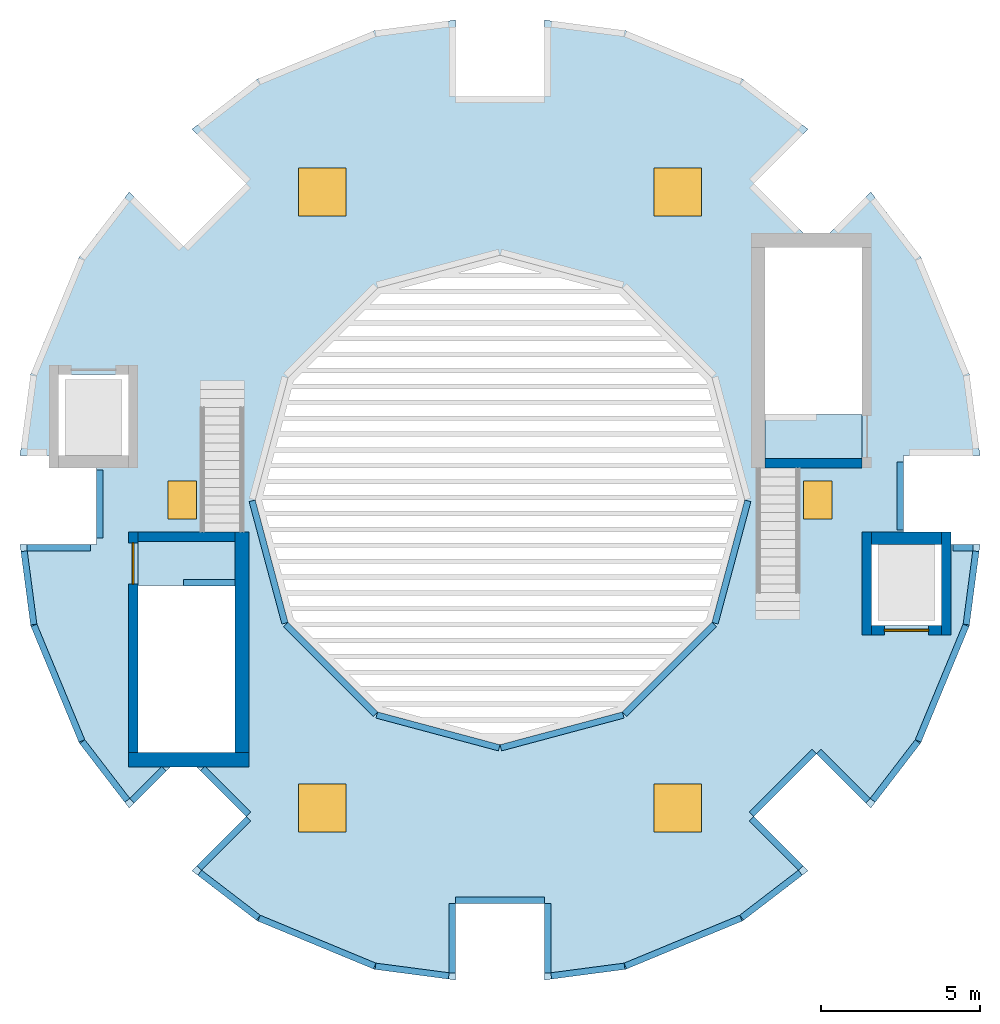
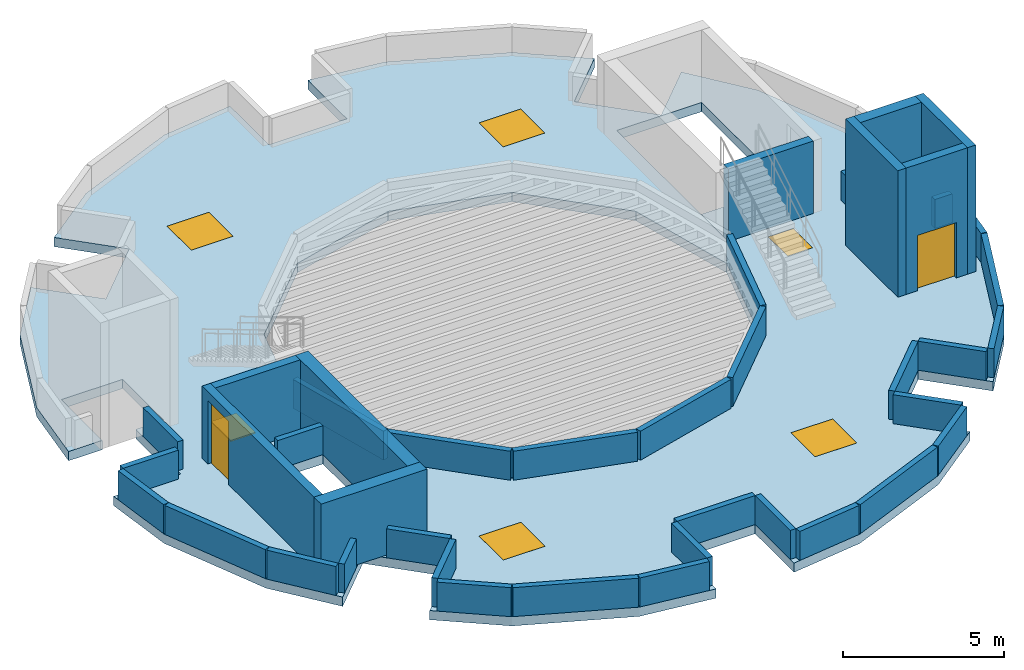
# One storey, part 1 of 4: 41 walls, 6 windows, 3 slabs, 2 doors, 8 openings.
"""IFC4 building model written with IfcOpenShell, lengths in metres."""

from ifc_helpers import new_model, si_unit, direction, frame, frame_2d, origin, origin_2d, place, context, subcontext, project, spatial, polyline, rectangle, outline, extrude, material, layer, layer_set, type_object, element, fill, save


model = new_model("IFC4")

# Units and contexts
model_context = context("Model", 3, precision=1e-05, world=origin(), true_north=direction((0.0, 1.0)))
body_context = subcontext(model_context, "Body", "Model", "MODEL_VIEW")
ifc_project = project(units=[si_unit("LENGTHUNIT", "METRE"), si_unit("AREAUNIT", "SQUARE_METRE"), si_unit("VOLUMEUNIT", "CUBIC_METRE"), si_unit("PLANEANGLEUNIT", "RADIAN"), si_unit("MASSUNIT", "GRAM", prefix="KILO")], contexts=[model_context])

# Site, building, storey
site_placement = place(None, origin())
site = spatial("IfcSite", under=ifc_project, at=site_placement, CompositionType="ELEMENT")
building_placement = place(site_placement, origin())
building = spatial("IfcBuilding", under=site, at=building_placement, Name="Torre Brocal", CompositionType="ELEMENT")
storey_placement = place(building_placement, frame((0.0, 0.0, 337.60009765625)))
storey = spatial("IfcBuildingStorey", under=building, at=storey_placement, Name="RF", CompositionType="ELEMENT", Elevation=337.60009765625)

# Slabs
ifc_material_1 = material(Name="Concrete C50", Category="concrete")
ifc_layer_1 = layer(ifc_material_1, 0.35009765625)
ifc_layer_set_1 = layer_set([ifc_layer_1], Name="Concrete C50")
slab_type_1 = type_object("IfcSlabType", Name="HEAD-HOUSE FLOOR 350", PredefinedType="FLOOR", material=ifc_layer_set_1)
slab_1_placement = place(storey_placement, frame((0.0, 0.0, -0.35009765625)))
element("IfcSlab", 1, at=slab_1_placement, inside=storey, type_object=slab_type_1, Name="Slab SHF350", PredefinedType="FLOOR", context=body_context, shape_type="SweptSolid", body=[
    extrude(outline(polyline([(88.35009765625, 76.300048828125), (91.39990234375, 76.300048828125), (91.39990234375, 77.699951171875), (88.35009765625, 77.699951171875), (88.35009765625, 76.300048828125)])), origin(), (0.0, 0.0, 1.0), 0.35009765625),
])
slab_2_placement = place(storey_placement, frame((0.0, 0.0, -0.35009765625)))
element("IfcSlab", 2, at=slab_2_placement, inside=storey, type_object=slab_type_1, Name="Slab SHF350", PredefinedType="FLOOR", context=body_context, shape_type="SweptSolid", body=[
    extrude(outline(polyline([(71.64990234375, 73.699951171875), (68.60009765625, 73.699951171875), (68.60009765625, 72.300048828125), (71.64990234375, 72.300048828125), (71.64990234375, 73.699951171875)])), origin(), (0.0, 0.0, 1.0), 0.35009765625),
])

# Slab, openings, windows
ifc_material_2 = material(Name="Concrete C45", Category="concrete")
ifc_layer_2 = layer(ifc_material_2, 0.35009765625)
ifc_layer_set_2 = layer_set([ifc_layer_2], Name="Concrete C45")
slab_type_2 = type_object("IfcSlabType", Name="PT ROOF SLAB 350 C45", PredefinedType="ROOF", material=ifc_layer_set_2)
slab_3_placement = place(storey_placement, frame((0.0, 0.0, -0.35009765625)))
slab_3 = element("IfcSlab", 3, at=slab_3_placement, inside=storey, type_object=slab_type_2, Name="Slab ST-14", PredefinedType="ROOF", context=body_context, shape_type="SweptSolid", body=[
    extrude(outline(polyline([(92.699951171875, 76.39990234375), (92.699951171875, 73.60009765625), (91.699951171875, 73.60009765625), (91.699951171875, 71.050048828125), (93.89990234375, 71.050048828125), (93.89990234375, 73.60009765625), (95.114013671875, 73.60009765625), (94.777099609375, 71.04052734375), (93.248779296875, 67.350830078125), (91.67724609375, 65.302734375), (89.97021484375, 67.009765625), (87.990234375, 65.02978515625), (89.697265625, 63.32275390625), (87.649169921875, 61.751220703125), (83.95947265625, 60.222900390625), (81.39990234375, 59.885986328125), (81.39990234375, 62.300048828125), (78.60009765625, 62.300048828125), (78.60009765625, 59.885986328125), (76.04052734375, 60.222900390625), (72.350830078125, 61.751220703125), (70.302734375, 63.32275390625), (72.009765625, 65.02978515625), (70.02978515625, 67.009765625), (68.32275390625, 65.302734375), (66.751220703125, 67.350830078125), (65.222900390625, 71.04052734375), (64.885986328125, 73.60009765625), (67.300048828125, 73.60009765625), (67.300048828125, 76.39990234375), (68.300048828125, 76.39990234375), (68.300048828125, 78.949951171875), (66.10009765625, 78.949951171875), (66.10009765625, 76.39990234375), (64.885986328125, 76.39990234375), (65.222900390625, 78.95947265625), (66.751220703125, 82.649169921875), (68.32275390625, 84.697265625), (70.02978515625, 82.990234375), (72.009765625, 84.97021484375), (70.302734375, 86.67724609375), (72.350830078125, 88.248779296875), (76.04052734375, 89.777099609375), (78.60009765625, 90.114013671875), (78.60009765625, 87.699951171875), (81.39990234375, 87.699951171875), (81.39990234375, 90.114013671875), (83.95947265625, 89.777099609375), (87.649169921875, 88.248779296875), (89.697265625, 86.67724609375), (87.990234375, 84.97021484375), (89.97021484375, 82.990234375), (91.67724609375, 84.697265625), (93.248779296875, 82.649169921875), (94.777099609375, 78.95947265625), (95.114013671875, 76.39990234375), (92.699951171875, 76.39990234375)]), holes=[polyline([(88.35009765625, 76.300048828125), (91.39990234375, 76.300048828125), (91.39990234375, 82.949951171875), (88.35009765625, 82.949951171875), (88.35009765625, 76.300048828125)]), polyline([(80.0, 82.70703125), (76.146484375, 81.674560546875), (73.325439453125, 78.853515625), (72.29296875, 75.0), (73.325439453125, 71.146484375), (76.146484375, 68.325439453125), (80.0, 67.29296875), (83.853515625, 68.325439453125), (86.674560546875, 71.146484375), (87.70703125, 75.0), (86.674560546875, 78.853515625), (83.853515625, 81.674560546875), (80.0, 82.70703125)]), polyline([(71.64990234375, 73.699951171875), (68.60009765625, 73.699951171875), (68.60009765625, 67.050048828125), (71.64990234375, 67.050048828125), (71.64990234375, 73.699951171875)])]), origin(), (0.0, 0.0, 1.0), 0.35009765625),
])
opening_1_placement = place(slab_3_placement, frame((90.0, 75.0, 0.0)))
opening_1 = element("IfcOpeningElement", 4, at=opening_1_placement, cuts=slab_3, Name="Opening RAH-1", PredefinedType="OPENING", context=body_context, shape_type="SweptSolid", body=[
    extrude(rectangle(XDim=0.89990234375, YDim=1.199951171875, at=origin_2d()), origin(), (0.0, 0.0, 1.0), 0.35009765625),
])
opening_2_placement = place(slab_3_placement, frame((70.0, 75.0, 0.0)))
opening_2 = element("IfcOpeningElement", 5, at=opening_2_placement, cuts=slab_3, Name="Opening RAH-2", PredefinedType="OPENING", context=body_context, shape_type="SweptSolid", body=[
    extrude(rectangle(XDim=0.89990234375, YDim=1.199951171875, at=origin_2d()), origin(), (0.0, 0.0, 1.0), 0.35009765625),
])
opening_3_placement = place(slab_3_placement, frame((85.60009765625, 84.699462890625, 0.0)))
opening_3 = element("IfcOpeningElement", 6, at=opening_3_placement, cuts=slab_3, Name="Opening RLT-1", PredefinedType="OPENING", context=body_context, shape_type="SweptSolid", body=[
    extrude(rectangle(XDim=1.5, YDim=1.5, at=origin_2d()), origin(), (0.0, 0.0, 1.0), 0.35009765625),
])
opening_4_placement = place(slab_3_placement, frame((74.39990234375, 84.699462890625, 0.0)))
opening_4 = element("IfcOpeningElement", 7, at=opening_4_placement, cuts=slab_3, Name="Opening RLT-2", PredefinedType="OPENING", context=body_context, shape_type="SweptSolid", body=[
    extrude(rectangle(XDim=1.5, YDim=1.5, at=origin_2d()), origin(), (0.0, 0.0, 1.0), 0.35009765625),
])
opening_5_placement = place(slab_3_placement, frame((74.39990234375, 65.300537109375, 0.0)))
opening_5 = element("IfcOpeningElement", 8, at=opening_5_placement, cuts=slab_3, Name="Opening RLT-3", PredefinedType="OPENING", context=body_context, shape_type="SweptSolid", body=[
    extrude(rectangle(XDim=1.5, YDim=1.5, at=origin_2d()), origin(), (0.0, 0.0, 1.0), 0.35009765625),
])
opening_6_placement = place(slab_3_placement, frame((85.60009765625, 65.300537109375, 0.0)))
opening_6 = element("IfcOpeningElement", 9, at=opening_6_placement, cuts=slab_3, Name="Opening RLT-4", PredefinedType="OPENING", context=body_context, shape_type="SweptSolid", body=[
    extrude(rectangle(XDim=1.5, YDim=1.5, at=origin_2d()), origin(), (0.0, 0.0, 1.0), 0.35009765625),
])
ifc_material_3 = material(Name="Aluminium and glass", Category="aluminium")
window_type_1 = type_object("IfcWindowType", Name="ROOF ACCESS HATCH 1200X900", PartitioningType="SINGLE_PANEL", PredefinedType="SKYLIGHT", material=ifc_material_3)
window_1_placement = place(opening_1_placement, frame((0.0, 0.0, 0.300048828125)))
window_1 = element("IfcWindow", 10, at=window_1_placement, inside=storey, type_object=window_type_1, Name="ROOF ACCESS HATCH", OverallHeight=1.199951171875, OverallWidth=0.89990234375, PartitioningType="SINGLE_PANEL", PredefinedType="SKYLIGHT", context=body_context, shape_type="SweptSolid", body=[
    extrude(rectangle(XDim=0.89990234375, YDim=1.199951171875, at=origin_2d()), origin(), (0.0, 0.0, 1.0), 0.050048828125),
])
fill(opening_1, window_1)
window_2_placement = place(opening_2_placement, frame((0.0, 0.0, 0.300048828125)))
window_2 = element("IfcWindow", 11, at=window_2_placement, inside=storey, type_object=window_type_1, Name="ROOF ACCESS HATCH", OverallHeight=1.199951171875, OverallWidth=0.89990234375, PartitioningType="SINGLE_PANEL", PredefinedType="SKYLIGHT", context=body_context, shape_type="SweptSolid", body=[
    extrude(rectangle(XDim=0.89990234375, YDim=1.199951171875, at=origin_2d()), origin(), (0.0, 0.0, 1.0), 0.050048828125),
])
fill(opening_2, window_2)
ifc_material_4 = material(Name="Aluminium and glass", Category="aluminium")
window_type_2 = type_object("IfcWindowType", Name="ROOFLIGHT 1500X1500", PartitioningType="SINGLE_PANEL", PredefinedType="SKYLIGHT", material=ifc_material_4)
window_3_placement = place(opening_3_placement, frame((0.0, 0.0, 0.300048828125)))
window_3 = element("IfcWindow", 12, at=window_3_placement, inside=storey, type_object=window_type_2, Name="ROOFLIGHT", OverallHeight=1.5, OverallWidth=1.5, PartitioningType="SINGLE_PANEL", PredefinedType="SKYLIGHT", context=body_context, shape_type="SweptSolid", body=[
    extrude(rectangle(XDim=1.5, YDim=1.5, at=origin_2d()), origin(), (0.0, 0.0, 1.0), 0.050048828125),
])
fill(opening_3, window_3)
window_4_placement = place(opening_4_placement, frame((0.0, 0.0, 0.300048828125)))
window_4 = element("IfcWindow", 13, at=window_4_placement, inside=storey, type_object=window_type_2, Name="ROOFLIGHT", OverallHeight=1.5, OverallWidth=1.5, PartitioningType="SINGLE_PANEL", PredefinedType="SKYLIGHT", context=body_context, shape_type="SweptSolid", body=[
    extrude(rectangle(XDim=1.5, YDim=1.5, at=origin_2d()), origin(), (0.0, 0.0, 1.0), 0.050048828125),
])
fill(opening_4, window_4)
window_5_placement = place(opening_5_placement, frame((0.0, 0.0, 0.300048828125)))
window_5 = element("IfcWindow", 14, at=window_5_placement, inside=storey, type_object=window_type_2, Name="ROOFLIGHT", OverallHeight=1.5, OverallWidth=1.5, PartitioningType="SINGLE_PANEL", PredefinedType="SKYLIGHT", context=body_context, shape_type="SweptSolid", body=[
    extrude(rectangle(XDim=1.5, YDim=1.5, at=origin_2d()), origin(), (0.0, 0.0, 1.0), 0.050048828125),
])
fill(opening_5, window_5)
window_6_placement = place(opening_6_placement, frame((0.0, 0.0, 0.300048828125)))
window_6 = element("IfcWindow", 15, at=window_6_placement, inside=storey, type_object=window_type_2, Name="ROOFLIGHT", OverallHeight=1.5, OverallWidth=1.5, PartitioningType="SINGLE_PANEL", PredefinedType="SKYLIGHT", context=body_context, shape_type="SweptSolid", body=[
    extrude(rectangle(XDim=1.5, YDim=1.5, at=origin_2d()), origin(), (0.0, 0.0, 1.0), 0.050048828125),
])
fill(opening_6, window_6)

# Walls
ifc_material_5 = material(Name="Concrete C50", Category="concrete")
ifc_layer_3 = layer(ifc_material_5, 0.300048828125)
ifc_layer_set_3 = layer_set([ifc_layer_3], Name="Concrete C50")
wall_type_1 = type_object("IfcWallType", Name="CORE WALL 300 C50 UNDER 300 SLAB LIFT OVERRUN", PredefinedType="SHEAR", material=ifc_layer_set_3)
for number, where, z_axis, x_axis, name in (
    (16, (91.550048828125, 70.75, 0.0), (0.0, 0.0, 1.0), (0.0, 1.0, 0.0), "Wall CW300-50-LO"),
    (17, (94.050048828125, 70.75, 0.0), (0.0, 0.0, 1.0), (0.0, 1.0, 0.0), "Wall CW300-50-LO"),
):
    element("IfcWall", number, at=place(storey_placement, frame(where, z_axis=z_axis, x_axis=x_axis)), inside=storey, type_object=wall_type_1, Name=name, PredefinedType="SHEAR", context=body_context, shape_type="SweptSolid", body=[
        extrude(rectangle(XDim=3.25, YDim=0.300048828125, at=frame_2d((1.625, 0.0))), origin(), (0.0, 0.0, 1.0), 4.7998046875),
    ])

# Wall, opening, door
wall_1_placement = place(storey_placement, frame((91.699951171875, 70.89990234375, 0.0), z_axis=(0.0, 0.0, 1.0), x_axis=(1.0, 0.0, 0.0)))
wall_1 = element("IfcWall", 18, at=wall_1_placement, inside=storey, type_object=wall_type_1, Name="Wall CW300-50-LO", PredefinedType="SHEAR", context=body_context, shape_type="SweptSolid", body=[
    extrude(rectangle(XDim=2.199951171875, YDim=0.300048828125, at=frame_2d((1.10009765625, 0.0))), origin(), (0.0, 0.0, 1.0), 4.7998046875),
])
opening_7_placement = place(wall_1_placement, frame((0.39990234375, 0.0, 0.0)))
opening_7 = element("IfcOpeningElement", 19, at=opening_7_placement, cuts=wall_1, Name="Opening LD14", PredefinedType="OPENING", context=body_context, shape_type="SweptSolid", body=[
    extrude(rectangle(XDim=1.39990234375, YDim=2.10009765625, at=frame_2d((0.699951171875, 1.050048828125))), frame((0.0, 0.159912109375, 0.0), z_axis=(0.0, -1.0, 0.0), x_axis=(1.0, 0.0, 0.0)), (0.0, 0.0, 1.0), 0.320068359375),
])
ifc_material_6 = material(Name="Stainless steel AISI 316", Category="steel")
door_type_1 = type_object("IfcDoorType", Name="LIFT LANDING DOOR 1400X2100", OperationType="DOUBLE_DOOR_SLIDING", PredefinedType="DOOR", material=ifc_material_6)
door_1_placement = place(opening_7_placement, origin())
door_1 = element("IfcDoor", 20, at=door_1_placement, inside=storey, type_object=door_type_1, Name="Door LD14", OperationType="DOUBLE_DOOR_SLIDING", OverallHeight=2.10009765625, OverallWidth=1.39990234375, PredefinedType="DOOR", context=body_context, shape_type="SweptSolid", body=[
    extrude(rectangle(XDim=1.39990234375, YDim=2.10009765625, at=frame_2d((0.699951171875, 1.050048828125))), frame((0.0, 0.02490234375, 0.0), z_axis=(0.0, -1.0, 0.0), x_axis=(1.0, 0.0, 0.0)), (0.0, 0.0, 1.0), 0.050048828125),
])
fill(opening_7, door_1)

# Wall
ifc_material_7 = material(Name="Concrete C50", Category="concrete")
ifc_layer_4 = layer(ifc_material_7, 0.300048828125)
ifc_layer_set_4 = layer_set([ifc_layer_4], Name="Concrete C50")
wall_type_2 = type_object("IfcWallType", Name="CORE WALL 300 C50 UNDER 300 SLAB STAIR HEAD-HOUSE", PredefinedType="SHEAR", material=ifc_layer_set_4)
wall_2_placement = place(storey_placement, frame((88.35009765625, 76.14990234375, 0.0), z_axis=(0.0, 0.0, 1.0), x_axis=(1.0, 0.0, 0.0)))
element("IfcWall", 21, at=wall_2_placement, inside=storey, type_object=wall_type_2, Name="Wall CW300-50-SH", PredefinedType="SHEAR", context=body_context, shape_type="SweptSolid", body=[
    extrude(rectangle(XDim=3.0498046875, YDim=0.300048828125, at=frame_2d((1.52490234375, 0.0))), origin(), (0.0, 0.0, 1.0), 2.75),
])

# Wall, opening, door
wall_3_placement = place(storey_placement, frame((68.449951171875, 74.0, 0.0), z_axis=(0.0, 0.0, 1.0), x_axis=(0.0, -1.0, 0.0)))
wall_3 = element("IfcWall", 22, at=wall_3_placement, inside=storey, type_object=wall_type_2, Name="Wall CW300-50-SH", PredefinedType="SHEAR", context=body_context, shape_type="SweptSolid", body=[
    extrude(rectangle(XDim=6.949951171875, YDim=0.300048828125, at=frame_2d((3.47509765625, 0.0))), origin(), (0.0, 0.0, 1.0), 2.75),
])
opening_8_placement = place(wall_3_placement, frame((0.35009765625, 0.0, 0.0)))
opening_8 = element("IfcOpeningElement", 23, at=opening_8_placement, cuts=wall_3, Name="Opening W-D14", PredefinedType="OPENING", context=body_context, shape_type="SweptSolid", body=[
    extrude(rectangle(XDim=1.300048828125, YDim=2.39990234375, at=frame_2d((0.64990234375, 1.199951171875))), frame((0.0, 0.159912109375, 0.0), z_axis=(0.0, -1.0, 0.0), x_axis=(1.0, 0.0, 0.0)), (0.0, 0.0, 1.0), 0.320068359375),
])
ifc_material_8 = material(Name="Steel A653", Category="steel")
door_type_2 = type_object("IfcDoorType", Name="STAIR EXIT DOOR FD120 1300X2400", OperationType="DOUBLE_DOOR_SINGLE_SWING", PredefinedType="DOOR", material=ifc_material_8)
door_2_placement = place(opening_8_placement, frame((1.300048828125, 0.0, 0.0), z_axis=(0.0, 0.0, 1.0), x_axis=(-1.0, 0.0, 0.0)))
door_2 = element("IfcDoor", 24, at=door_2_placement, inside=storey, type_object=door_type_2, Name="Door W-D14", OperationType="DOUBLE_DOOR_SINGLE_SWING", OverallHeight=2.39990234375, OverallWidth=1.300048828125, PredefinedType="DOOR", context=body_context, shape_type="SweptSolid", body=[
    extrude(rectangle(XDim=1.300048828125, YDim=2.39990234375, at=frame_2d((0.64990234375, 1.199951171875))), frame((0.0, 0.02490234375, 0.0), z_axis=(0.0, -1.0, 0.0), x_axis=(1.0, 0.0, 0.0)), (0.0, 0.0, 1.0), 0.050048828125),
])
fill(opening_8, door_2)

# Walls
wall_4_placement = place(storey_placement, frame((71.64990234375, 73.85009765625, 0.0), z_axis=(0.0, 0.0, 1.0), x_axis=(-1.0, 0.0, 0.0)))
element("IfcWall", 25, at=wall_4_placement, inside=storey, type_object=wall_type_2, Name="Wall CW300-50-SH", PredefinedType="SHEAR", context=body_context, shape_type="SweptSolid", body=[
    extrude(rectangle(XDim=3.0498046875, YDim=0.300048828125, at=frame_2d((1.52490234375, 0.0))), origin(), (0.0, 0.0, 1.0), 2.75),
])
ifc_material_9 = material(Name="Concrete C50", Category="concrete")
ifc_layer_5 = layer(ifc_material_9, 0.39990234375)
ifc_layer_set_5 = layer_set([ifc_layer_5], Name="Concrete C50")
wall_type_3 = type_object("IfcWallType", Name="CORE WALL 400 C50 UNDER 300 SLAB LIFT OVERRUN", PredefinedType="SHEAR", material=ifc_layer_set_5)
wall_5_placement = place(storey_placement, frame((91.699951171875, 73.800048828125, 0.0), z_axis=(0.0, 0.0, 1.0), x_axis=(1.0, 0.0, 0.0)))
element("IfcWall", 26, at=wall_5_placement, inside=storey, type_object=wall_type_3, Name="Wall CW400-50-LO", PredefinedType="SHEAR", context=body_context, shape_type="SweptSolid", body=[
    extrude(rectangle(XDim=2.199951171875, YDim=0.39990234375, at=frame_2d((1.10009765625, 0.0))), origin(), (0.0, 0.0, 1.0), 4.7998046875),
])
ifc_material_10 = material(Name="Concrete C50", Category="concrete")
ifc_layer_6 = layer(ifc_material_10, 0.449951171875)
ifc_layer_set_6 = layer_set([ifc_layer_6], Name="Concrete C50")
wall_type_4 = type_object("IfcWallType", Name="CORE WALL 450 C50 UNDER 300 SLAB STAIR HEAD-HOUSE", PredefinedType="SHEAR", material=ifc_layer_set_6)
wall_6_placement = place(storey_placement, frame((71.875, 74.0, 0.0), z_axis=(0.0, 0.0, 1.0), x_axis=(0.0, -1.0, 0.0)))
element("IfcWall", 27, at=wall_6_placement, inside=storey, type_object=wall_type_4, Name="Wall CW450-50-SH", PredefinedType="SHEAR", context=body_context, shape_type="SweptSolid", body=[
    extrude(rectangle(XDim=6.949951171875, YDim=0.449951171875, at=frame_2d((3.47509765625, 0.0))), origin(), (0.0, 0.0, 1.0), 2.75),
])
wall_7_placement = place(storey_placement, frame((72.10009765625, 66.824951171875, 0.0), z_axis=(0.0, 0.0, 1.0), x_axis=(-1.0, 0.0, 0.0)))
element("IfcWall", 28, at=wall_7_placement, inside=storey, type_object=wall_type_4, Name="Wall CW450-50-SH", PredefinedType="SHEAR", context=body_context, shape_type="SweptSolid", body=[
    extrude(rectangle(XDim=3.800048828125, YDim=0.449951171875, at=frame_2d((1.89990234375, 0.0))), origin(), (0.0, 0.0, 1.0), 2.75),
])
ifc_material_11 = material(Name="Concrete C40", Category="concrete")
ifc_layer_7 = layer(ifc_material_11, 0.199951171875)
ifc_layer_set_7 = layer_set([ifc_layer_7], Name="Concrete C40")
wall_type_5 = type_object("IfcWallType", Name="PARAPET WALL 200 THICK 1100 HIGH 10", PredefinedType="PARAPET", material=ifc_layer_set_7)
wall_8_placement = place(storey_placement, frame((69.418701171875, 66.5400390625, 0.0), z_axis=(0.0, 0.0, 1.0), x_axis=(-0.707106781187, -0.707106781187, 0.0)))
element("IfcWall", 29, at=wall_8_placement, inside=storey, type_object=wall_type_5, Name="PARAPET WALL 1", PredefinedType="PARAPET", context=body_context, shape_type="SweptSolid", body=[
    extrude(rectangle(XDim=1.421875, YDim=0.199951171875, at=frame_2d((0.7109375, 0.0))), origin(), (0.0, 0.0, 1.0), 1.099853515625),
])
wall_9_placement = place(storey_placement, frame((68.263427734375, 65.544677734375, 0.0), z_axis=(0.0, 0.0, 1.0), x_axis=(-0.608792682289, 0.793329357827, 0.0)))
element("IfcWall", 30, at=wall_9_placement, inside=storey, type_object=wall_type_5, Name="PARAPET WALL 2", PredefinedType="PARAPET", context=body_context, shape_type="SweptSolid", body=[
    extrude(rectangle(XDim=2.3271484375, YDim=0.199951171875, at=frame_2d((1.16357421875, 0.0))), origin(), (0.0, 0.0, 1.0), 1.099853515625),
])
wall_10_placement = place(storey_placement, frame((66.83349609375, 67.41357421875, 0.0), z_axis=(0.0, 0.0, 1.0), x_axis=(-0.382674609197, 0.923883187138, 0.0)))
element("IfcWall", 31, at=wall_10_placement, inside=storey, type_object=wall_type_5, Name="PARAPET WALL 3", PredefinedType="PARAPET", context=body_context, shape_type="SweptSolid", body=[
    extrude(rectangle(XDim=3.94091796875, YDim=0.199951171875, at=frame_2d((1.970458984375, 0.0))), origin(), (0.0, 0.0, 1.0), 1.099853515625),
])
wall_11_placement = place(storey_placement, frame((65.318603515625, 71.07958984375, 0.0), z_axis=(0.0, 0.0, 1.0), x_axis=(-0.130500644506, 0.991448224459, 0.0)))
element("IfcWall", 32, at=wall_11_placement, inside=storey, type_object=wall_type_5, Name="PARAPET WALL 4", PredefinedType="PARAPET", context=body_context, shape_type="SweptSolid", body=[
    extrude(rectangle(XDim=2.327392578125, YDim=0.199951171875, at=frame_2d((1.16357421875, 0.0))), origin(), (0.0, 0.0, 1.0), 1.099853515625),
])
wall_12_placement = place(storey_placement, frame((65.114013671875, 73.5, 0.0), z_axis=(0.0, 0.0, 1.0), x_axis=(1.0, 0.0, 0.0)))
element("IfcWall", 33, at=wall_12_placement, inside=storey, type_object=wall_type_5, Name="PARAPET WALL 5", PredefinedType="PARAPET", context=body_context, shape_type="SweptSolid", body=[
    extrude(rectangle(XDim=1.986083984375, YDim=0.199951171875, at=frame_2d((0.9931640625, 0.0))), origin(), (0.0, 0.0, 1.0), 1.099853515625),
])
wall_13_placement = place(storey_placement, frame((67.39990234375, 73.800048828125, 0.0), z_axis=(0.0, 0.0, 1.0), x_axis=(0.0, 1.0, 0.0)))
element("IfcWall", 34, at=wall_13_placement, inside=storey, type_object=wall_type_5, Name="PARAPET WALL 1", PredefinedType="PARAPET", context=body_context, shape_type="SweptSolid", body=[
    extrude(rectangle(XDim=2.139892578125, YDim=0.199951171875, at=frame_2d((1.06982421875, 0.0))), origin(), (0.0, 0.0, 1.0), 1.099853515625),
])
wall_14_placement = place(storey_placement, frame((94.260009765625, 73.5, 0.0), z_axis=(0.0, 0.0, 1.0), x_axis=(1.0, 0.0, 0.0)))
element("IfcWall", 35, at=wall_14_placement, inside=storey, type_object=wall_type_5, Name="PARAPET WALL 1", PredefinedType="PARAPET", context=body_context, shape_type="SweptSolid", body=[
    extrude(rectangle(XDim=0.6259765625, YDim=0.199951171875, at=frame_2d((0.31298828125, 0.0))), origin(), (0.0, 0.0, 1.0), 1.099853515625),
])
wall_15_placement = place(storey_placement, frame((94.985107421875, 73.386962890625, 0.0), z_axis=(0.0, 0.0, 1.0), x_axis=(-0.130500644506, -0.991448224459, 0.0)))
element("IfcWall", 36, at=wall_15_placement, inside=storey, type_object=wall_type_5, Name="PARAPET WALL 2", PredefinedType="PARAPET", context=body_context, shape_type="SweptSolid", body=[
    extrude(rectangle(XDim=2.327392578125, YDim=0.199951171875, at=frame_2d((1.16357421875, 0.0))), origin(), (0.0, 0.0, 1.0), 1.099853515625),
])
wall_16_placement = place(storey_placement, frame((94.674560546875, 71.054443359375, 0.0), z_axis=(0.0, 0.0, 1.0), x_axis=(-0.382674609197, -0.923883187138, 0.0)))
element("IfcWall", 37, at=wall_16_placement, inside=storey, type_object=wall_type_5, Name="PARAPET WALL 3", PredefinedType="PARAPET", context=body_context, shape_type="SweptSolid", body=[
    extrude(rectangle(XDim=3.94091796875, YDim=0.199951171875, at=frame_2d((1.970458984375, 0.0))), origin(), (0.0, 0.0, 1.0), 1.099853515625),
])
wall_17_placement = place(storey_placement, frame((93.1533203125, 67.390869140625, 0.0), z_axis=(0.0, 0.0, 1.0), x_axis=(-0.608792682289, -0.793329357827, 0.0)))
element("IfcWall", 38, at=wall_17_placement, inside=storey, type_object=wall_type_5, Name="PARAPET WALL 4", PredefinedType="PARAPET", context=body_context, shape_type="SweptSolid", body=[
    extrude(rectangle(XDim=2.3271484375, YDim=0.199951171875, at=frame_2d((1.16357421875, 0.0))), origin(), (0.0, 0.0, 1.0), 1.099853515625),
])
wall_18_placement = place(storey_placement, frame((91.586669921875, 65.53466796875, 0.0), z_axis=(0.0, 0.0, 1.0), x_axis=(-0.707106781187, 0.707106781187, 0.0)))
element("IfcWall", 39, at=wall_18_placement, inside=storey, type_object=wall_type_5, Name="PARAPET WALL 5", PredefinedType="PARAPET", context=body_context, shape_type="SweptSolid", body=[
    extrude(rectangle(XDim=2.185791015625, YDim=0.199951171875, at=frame_2d((1.0927734375, 0.0))), origin(), (0.0, 0.0, 1.0), 1.099853515625),
])
wall_19_placement = place(storey_placement, frame((89.8994140625, 67.080322265625, 0.0), z_axis=(0.0, 0.0, 1.0), x_axis=(-0.707106781187, -0.707106781187, 0.0)))
element("IfcWall", 40, at=wall_19_placement, inside=storey, type_object=wall_type_5, Name="PARAPET WALL 6", PredefinedType="PARAPET", context=body_context, shape_type="SweptSolid", body=[
    extrude(rectangle(XDim=2.7998046875, YDim=0.199951171875, at=frame_2d((1.39990234375, 0.0))), origin(), (0.0, 0.0, 1.0), 1.099853515625),
])
wall_20_placement = place(storey_placement, frame((87.919677734375, 64.958984375, 0.0), z_axis=(0.0, 0.0, 1.0), x_axis=(0.707106781187, -0.707106781187, 0.0)))
element("IfcWall", 41, at=wall_20_placement, inside=storey, type_object=wall_type_5, Name="PARAPET WALL 7", PredefinedType="PARAPET", context=body_context, shape_type="SweptSolid", body=[
    extrude(rectangle(XDim=2.185791015625, YDim=0.199951171875, at=frame_2d((1.0927734375, 0.0))), origin(), (0.0, 0.0, 1.0), 1.099853515625),
])
wall_21_placement = place(storey_placement, frame((89.455322265625, 63.263427734375, 0.0), z_axis=(0.0, 0.0, 1.0), x_axis=(-0.793329357827, -0.608792682289, 0.0)))
element("IfcWall", 42, at=wall_21_placement, inside=storey, type_object=wall_type_5, Name="PARAPET WALL 8", PredefinedType="PARAPET", context=body_context, shape_type="SweptSolid", body=[
    extrude(rectangle(XDim=2.3271484375, YDim=0.199951171875, at=frame_2d((1.16357421875, 0.0))), origin(), (0.0, 0.0, 1.0), 1.099853515625),
])
wall_22_placement = place(storey_placement, frame((87.58642578125, 61.83349609375, 0.0), z_axis=(0.0, 0.0, 1.0), x_axis=(-0.923883187138, -0.382674609197, 0.0)))
element("IfcWall", 43, at=wall_22_placement, inside=storey, type_object=wall_type_5, Name="PARAPET WALL 9", PredefinedType="PARAPET", context=body_context, shape_type="SweptSolid", body=[
    extrude(rectangle(XDim=3.94091796875, YDim=0.199951171875, at=frame_2d((1.970458984375, 0.0))), origin(), (0.0, 0.0, 1.0), 1.099853515625),
])
wall_23_placement = place(storey_placement, frame((83.92041015625, 60.318603515625, 0.0), z_axis=(0.0, 0.0, 1.0), x_axis=(-0.991448224459, -0.130500644506, 0.0)))
element("IfcWall", 44, at=wall_23_placement, inside=storey, type_object=wall_type_5, Name="PARAPET WALL 10", PredefinedType="PARAPET", context=body_context, shape_type="SweptSolid", body=[
    extrude(rectangle(XDim=2.327392578125, YDim=0.199951171875, at=frame_2d((1.16357421875, 0.0))), origin(), (0.0, 0.0, 1.0), 1.099853515625),
])
wall_24_placement = place(storey_placement, frame((81.5, 60.114013671875, 0.0), z_axis=(0.0, 0.0, 1.0), x_axis=(0.0, 1.0, 0.0)))
element("IfcWall", 45, at=wall_24_placement, inside=storey, type_object=wall_type_5, Name="PARAPET WALL 11", PredefinedType="PARAPET", context=body_context, shape_type="SweptSolid", body=[
    extrude(rectangle(XDim=2.18603515625, YDim=0.199951171875, at=frame_2d((1.093017578125, 0.0))), origin(), (0.0, 0.0, 1.0), 1.099853515625),
])
wall_25_placement = place(storey_placement, frame((81.39990234375, 62.39990234375, 0.0), z_axis=(0.0, 0.0, 1.0), x_axis=(-1.0, 0.0, 0.0)))
element("IfcWall", 46, at=wall_25_placement, inside=storey, type_object=wall_type_5, Name="PARAPET WALL 12", PredefinedType="PARAPET", context=body_context, shape_type="SweptSolid", body=[
    extrude(rectangle(XDim=2.7998046875, YDim=0.199951171875, at=frame_2d((1.39990234375, 0.0))), origin(), (0.0, 0.0, 1.0), 1.099853515625),
])
wall_26_placement = place(storey_placement, frame((78.5, 62.300048828125, 0.0), z_axis=(0.0, 0.0, 1.0), x_axis=(0.0, -1.0, 0.0)))
element("IfcWall", 47, at=wall_26_placement, inside=storey, type_object=wall_type_5, Name="PARAPET WALL 13", PredefinedType="PARAPET", context=body_context, shape_type="SweptSolid", body=[
    extrude(rectangle(XDim=2.18603515625, YDim=0.199951171875, at=frame_2d((1.093017578125, 0.0))), origin(), (0.0, 0.0, 1.0), 1.099853515625),
])
wall_27_placement = place(storey_placement, frame((78.386962890625, 60.014892578125, 0.0), z_axis=(0.0, 0.0, 1.0), x_axis=(-0.991448224459, 0.130500644506, 0.0)))
element("IfcWall", 48, at=wall_27_placement, inside=storey, type_object=wall_type_5, Name="PARAPET WALL 14", PredefinedType="PARAPET", context=body_context, shape_type="SweptSolid", body=[
    extrude(rectangle(XDim=2.327392578125, YDim=0.199951171875, at=frame_2d((1.16357421875, 0.0))), origin(), (0.0, 0.0, 1.0), 1.099853515625),
])
wall_28_placement = place(storey_placement, frame((76.054443359375, 60.325439453125, 0.0), z_axis=(0.0, 0.0, 1.0), x_axis=(-0.923883187138, 0.382674609197, 0.0)))
element("IfcWall", 49, at=wall_28_placement, inside=storey, type_object=wall_type_5, Name="PARAPET WALL 15", PredefinedType="PARAPET", context=body_context, shape_type="SweptSolid", body=[
    extrude(rectangle(XDim=3.94091796875, YDim=0.199951171875, at=frame_2d((1.970458984375, 0.0))), origin(), (0.0, 0.0, 1.0), 1.099853515625),
])
wall_29_placement = place(storey_placement, frame((72.390869140625, 61.8466796875, 0.0), z_axis=(0.0, 0.0, 1.0), x_axis=(-0.793329357827, 0.608792682289, 0.0)))
element("IfcWall", 50, at=wall_29_placement, inside=storey, type_object=wall_type_5, Name="PARAPET WALL 16", PredefinedType="PARAPET", context=body_context, shape_type="SweptSolid", body=[
    extrude(rectangle(XDim=2.3271484375, YDim=0.199951171875, at=frame_2d((1.16357421875, 0.0))), origin(), (0.0, 0.0, 1.0), 1.099853515625),
])
wall_30_placement = place(storey_placement, frame((70.53466796875, 63.413330078125, 0.0), z_axis=(0.0, 0.0, 1.0), x_axis=(0.707106781187, 0.707106781187, 0.0)))
element("IfcWall", 51, at=wall_30_placement, inside=storey, type_object=wall_type_5, Name="PARAPET WALL 17", PredefinedType="PARAPET", context=body_context, shape_type="SweptSolid", body=[
    extrude(rectangle(XDim=2.185791015625, YDim=0.199951171875, at=frame_2d((1.0927734375, 0.0))), origin(), (0.0, 0.0, 1.0), 1.099853515625),
])
wall_31_placement = place(storey_placement, frame((72.080322265625, 65.1005859375, 0.0), z_axis=(0.0, 0.0, 1.0), x_axis=(-0.707106781187, 0.707106781187, 0.0)))
element("IfcWall", 52, at=wall_31_placement, inside=storey, type_object=wall_type_5, Name="PARAPET WALL 18", PredefinedType="PARAPET", context=body_context, shape_type="SweptSolid", body=[
    extrude(rectangle(XDim=2.03564453125, YDim=0.199951171875, at=frame_2d((1.017822265625, 0.0))), origin(), (0.0, 0.0, 1.0), 1.099853515625),
])
wall_32_placement = place(storey_placement, frame((92.60009765625, 76.199951171875, 0.0), z_axis=(0.0, 0.0, 1.0), x_axis=(0.0, -1.0, 0.0)))
element("IfcWall", 53, at=wall_32_placement, inside=storey, type_object=wall_type_5, Name="PARAPET WALL 1", PredefinedType="PARAPET", context=body_context, shape_type="SweptSolid", body=[
    extrude(rectangle(XDim=2.139892578125, YDim=0.199951171875, at=frame_2d((1.06982421875, 0.0))), origin(), (0.0, 0.0, 1.0), 1.099853515625),
])
wall_33_placement = place(storey_placement, frame((87.8037109375, 74.97412109375, 0.0), z_axis=(0.0, 0.0, 1.0), x_axis=(-0.25885843843, -0.965915270018, 0.0)))
element("IfcWall", 54, at=wall_33_placement, inside=storey, type_object=wall_type_5, Name="PARAPET WALL 2", PredefinedType="PARAPET", context=body_context, shape_type="SweptSolid", body=[
    extrude(rectangle(XDim=3.989501953125, YDim=0.199951171875, at=frame_2d((1.99462890625, 0.0))), origin(), (0.0, 0.0, 1.0), 1.099853515625),
])
wall_34_placement = place(storey_placement, frame((86.7451171875, 71.07568359375, 0.0), z_axis=(0.0, 0.0, 1.0), x_axis=(-0.707106781187, -0.707106781187, 0.0)))
element("IfcWall", 55, at=wall_34_placement, inside=storey, type_object=wall_type_5, Name="PARAPET WALL 3", PredefinedType="PARAPET", context=body_context, shape_type="SweptSolid", body=[
    extrude(rectangle(XDim=3.9892578125, YDim=0.199951171875, at=frame_2d((1.99462890625, 0.0))), origin(), (0.0, 0.0, 1.0), 1.099853515625),
])
for number, where, z_axis, x_axis, name in (
    (56, (83.87939453125, 68.22900390625, 0.0), (0.0, 0.0, 1.0), (-0.965915270018, -0.25885843843, 0.0), "PARAPET WALL 4"),
    (57, (79.97412109375, 67.1962890625, 0.0), (0.0, 0.0, 1.0), (-0.965915270018, 0.25885843843, 0.0), "PARAPET WALL 5"),
):
    element("IfcWall", number, at=place(storey_placement, frame(where, z_axis=z_axis, x_axis=x_axis)), inside=storey, type_object=wall_type_5, Name=name, PredefinedType="PARAPET", context=body_context, shape_type="SweptSolid", body=[
        extrude(rectangle(XDim=3.989501953125, YDim=0.199951171875, at=frame_2d((1.99462890625, 0.0))), origin(), (0.0, 0.0, 1.0), 1.099853515625),
    ])
wall_35_placement = place(storey_placement, frame((76.07568359375, 68.2548828125, 0.0), z_axis=(0.0, 0.0, 1.0), x_axis=(-0.707106781187, 0.707106781187, 0.0)))
element("IfcWall", 58, at=wall_35_placement, inside=storey, type_object=wall_type_5, Name="PARAPET WALL 6", PredefinedType="PARAPET", context=body_context, shape_type="SweptSolid", body=[
    extrude(rectangle(XDim=3.9892578125, YDim=0.199951171875, at=frame_2d((1.99462890625, 0.0))), origin(), (0.0, 0.0, 1.0), 1.099853515625),
])
wall_36_placement = place(storey_placement, frame((73.22900390625, 71.12060546875, 0.0), z_axis=(0.0, 0.0, 1.0), x_axis=(-0.25885843843, 0.965915270018, 0.0)))
element("IfcWall", 59, at=wall_36_placement, inside=storey, type_object=wall_type_5, Name="PARAPET WALL 7", PredefinedType="PARAPET", context=body_context, shape_type="SweptSolid", body=[
    extrude(rectangle(XDim=3.989501953125, YDim=0.199951171875, at=frame_2d((1.99462890625, 0.0))), origin(), (0.0, 0.0, 1.0), 1.099853515625),
])
ifc_material_12 = material(Name="Concrete C40", Category="concrete")
ifc_layer_8 = layer(ifc_material_12, 0.199951171875)
ifc_layer_set_8 = layer_set([ifc_layer_8], Name="Concrete C40")
wall_type_6 = type_object("IfcWallType", Name="RC GUARD UPSTAND 200", PredefinedType="STANDARD", material=ifc_layer_set_8)
wall_37_placement = place(storey_placement, frame((71.64990234375, 72.39990234375, 0.0), z_axis=(0.0, 0.0, 1.0), x_axis=(-1.0, 0.0, 0.0)))
element("IfcWall", 60, at=wall_37_placement, inside=storey, type_object=wall_type_6, Name="Wall GU200", PredefinedType="STANDARD", context=body_context, shape_type="SweptSolid", body=[
    extrude(rectangle(XDim=1.619873046875, YDim=0.199951171875, at=frame_2d((0.81005859375, 0.0))), origin(), (0.0, 0.0, 1.0), 1.099853515625),
])

save(model, "model.ifc")
